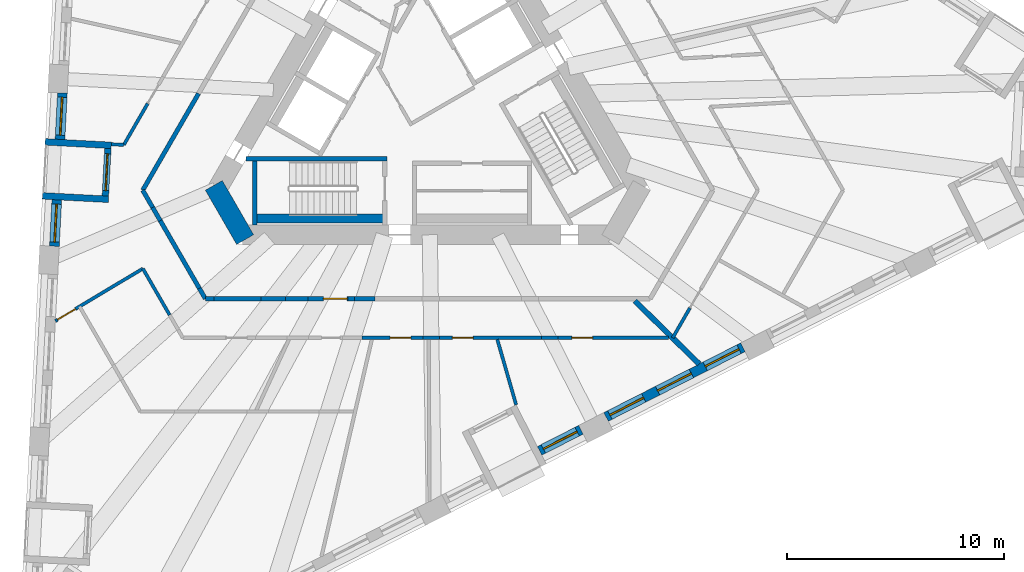
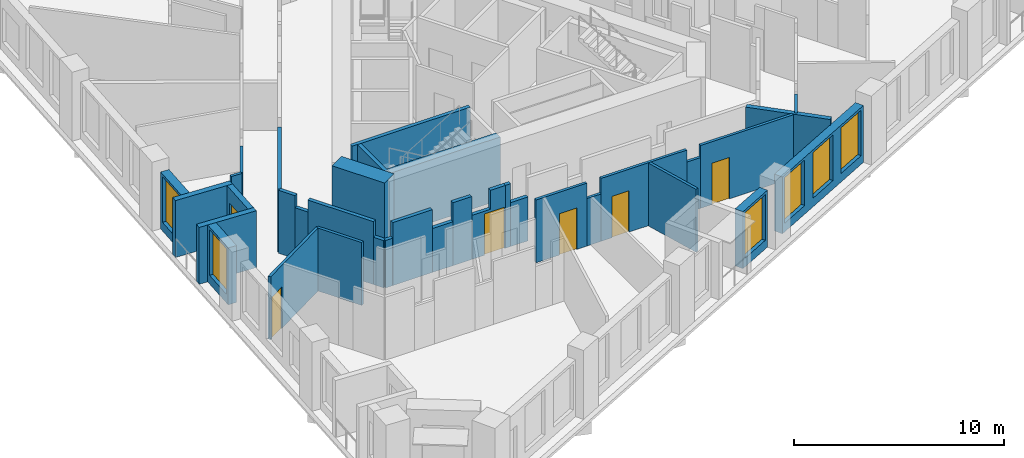
# One storey, part 3 of 13: 35 walls, 6 doors, 6 windows, 12 openings.
"""IFC4 building model written with IfcOpenShell, lengths in metres."""

import ifcopenshell
import ifcopenshell.guid

model = None  # the IFC model being written
_history = None  # IfcOwnerHistory: only IFC2X3 demands one
_inside = {}  # id of a spatial element -> (the spatial element, [elements in it])
_under = {}  # id of a project, library or spatial element -> (it, [spatial elements below it])
_declared = {}  # id of a project -> (the project, [libraries it declares])
_typed = {}  # id of a type object -> (the type object, [elements of that type])
_made_of = {}  # id of a material, layer set ... -> (it, [elements and type objects made of it])


def new_model(schema):
    """Start an empty IFC model of exactly this schema.

    Asked for "IFC4X3", IfcOpenShell would pick the latest addendum, in which some entities
    have other attributes; the version numbers below select the first issue.
    IFC2X3 requires an IfcOwnerHistory on every rooted entity: one is made here for all.
    """
    global model, _history
    if schema == "IFC4X3":
        model = ifcopenshell.file(schema_version=(4, 3, 0, 0))
    else:
        model = ifcopenshell.file(schema=schema)
    _inside.clear()
    _under.clear()
    _declared.clear()
    _typed.clear()
    _made_of.clear()
    _history = None
    if model.schema == "IFC2X3":
        org = make("IfcOrganization", Name="unknown")
        user = make(
            "IfcPersonAndOrganization",
            ThePerson=make("IfcPerson", FamilyName="unknown"),
            TheOrganization=org,
        )
        app = make(
            "IfcApplication",
            ApplicationDeveloper=org,
            Version="unknown",
            ApplicationFullName="unknown",
            ApplicationIdentifier="unknown",
        )
        _history = make(
            "IfcOwnerHistory",
            OwningUser=user,
            OwningApplication=app,
            ChangeAction="ADDED",
            CreationDate=0,
        )
    return model


def make(cls, **values):
    """One entity of the class cls with the attributes given. An attribute that is None is left unset."""
    return model.create_entity(
        cls, **{name: value for name, value in values.items() if value is not None}
    )


def rooted(cls, **values):
    """An entity with a GlobalId (a new one), such as an element, a storey or a relation."""
    return make(cls, GlobalId=ifcopenshell.guid.new(), OwnerHistory=_history, **values)


def si_unit(unit_type, name, prefix=None):
    """IfcSIUnit, for example si_unit("LENGTHUNIT", "METRE", prefix="MILLI")."""
    return make("IfcSIUnit", UnitType=unit_type, Prefix=prefix, Name=name)


def assignment(units):
    """IfcUnitAssignment: the units of a project."""
    return None if units is None else make("IfcUnitAssignment", Units=units)


def point(xyz):
    """IfcCartesianPoint."""
    return None if xyz is None else make("IfcCartesianPoint", Coordinates=xyz)


def direction(xyz):
    """IfcDirection."""
    return None if xyz is None else make("IfcDirection", DirectionRatios=xyz)


def frame(location, z_axis=None, x_axis=None):
    """IfcAxis2Placement3D, a coordinate frame: its origin and axes. An axis left out is left unset."""
    return make(
        "IfcAxis2Placement3D",
        Location=point(location),
        Axis=direction(z_axis),
        RefDirection=direction(x_axis),
    )


def frame_2d(location, x_axis=None):
    """IfcAxis2Placement2D, a coordinate frame in the plane: its origin and x axis."""
    return make(
        "IfcAxis2Placement2D", Location=point(location), RefDirection=direction(x_axis)
    )


def origin():
    """The frame at (0, 0, 0) with its axes left unset."""
    return frame((0.0, 0.0, 0.0))


def place(relative_to, where):
    """IfcLocalPlacement: puts the frame where relative to a parent placement (None: the world)."""
    return make(
        "IfcLocalPlacement", PlacementRelTo=relative_to, RelativePlacement=where
    )


def context(
    kind, dimensions, precision=None, world=None, true_north=None, identifier=None
):
    """IfcGeometricRepresentationContext, for example the 3D "Model" context."""
    return make(
        "IfcGeometricRepresentationContext",
        ContextIdentifier=identifier,
        ContextType=kind,
        CoordinateSpaceDimension=dimensions,
        Precision=precision,
        WorldCoordinateSystem=world,
        TrueNorth=true_north,
    )


def subcontext(parent, identifier, kind, view, scale=None):
    """IfcGeometricRepresentationSubContext, for example "Body" below "Model"."""
    return make(
        "IfcGeometricRepresentationSubContext",
        ContextIdentifier=identifier,
        ContextType=kind,
        ParentContext=parent,
        TargetScale=scale,
        TargetView=view,
    )


def project(units=None, contexts=None):
    """IfcProject with its units and contexts."""
    return rooted(
        "IfcProject",
        Name="project",
        RepresentationContexts=contexts,
        UnitsInContext=assignment(units),
    )


def spatial(cls, under=None, at=None, **own):
    """A site, building, storey or space (cls), placed at a placement, below another one or the project."""
    s = rooted(cls, ObjectPlacement=at, **own)
    if under is not None:
        _under.setdefault(under.id(), (under, []))[1].append(s)
    return s


def polyline(points):
    """IfcPolyline through the points."""
    return make("IfcPolyline", Points=[point(p) for p in points])


def profile(cls, at=None, kind="AREA", **sizes):
    """A parametric profile (cls). Its sizes go by their IFC names, for example OverallWidth=200.0."""
    return make(cls, ProfileType=kind, Position=at, **sizes)


def rectangle(**sizes):
    """IfcRectangleProfileDef."""
    return profile("IfcRectangleProfileDef", **sizes)


def outline(outer, holes=None, kind="AREA"):
    """IfcArbitraryClosedProfileDef: a profile drawn as a closed curve; with holes, ...WithVoids."""
    if holes is None:
        return make("IfcArbitraryClosedProfileDef", ProfileType=kind, OuterCurve=outer)
    return make(
        "IfcArbitraryProfileDefWithVoids",
        ProfileType=kind,
        OuterCurve=outer,
        InnerCurves=holes,
    )


def extrude(swept, where, along, depth):
    """IfcExtrudedAreaSolid: the profile swept, set in the frame where, extruded along a direction by depth."""
    return make(
        "IfcExtrudedAreaSolid",
        SweptArea=swept,
        Position=where,
        ExtrudedDirection=direction(along),
        Depth=depth,
    )


def shape(context_of_items, identifier, shape_type, items):
    """IfcShapeRepresentation: the items that make up one representation, for example the "Body"."""
    return make(
        "IfcShapeRepresentation",
        ContextOfItems=context_of_items,
        RepresentationIdentifier=identifier,
        RepresentationType=shape_type,
        Items=items,
    )


def material(Name=None, Category=None):
    """IfcMaterial."""
    return make("IfcMaterial", Name=Name, Category=Category)


def layer(
    of_material, thickness, ventilated=None, Name=None, Category=None, Priority=None
):
    """IfcMaterialLayer: one layer of a wall or slab, of a material (None: an air gap)."""
    return make(
        "IfcMaterialLayer",
        Material=of_material,
        LayerThickness=thickness,
        IsVentilated=ventilated,
        Name=Name,
        Category=Category,
        Priority=Priority,
    )


def layer_set(layers, Name=None):
    """IfcMaterialLayerSet."""
    return make("IfcMaterialLayerSet", MaterialLayers=layers, LayerSetName=Name)


def made_of(thing, what):
    """Note that an element or type object is made of a material, layer set ...; save() writes the relation."""
    if what is not None:
        _made_of.setdefault(what.id(), (what, []))[1].append(thing)
    return thing


def type_object(cls, material=None, **own):
    """A type object (cls), such as IfcWallType, which elements share."""
    return made_of(rooted(cls, **own), material)


def element(
    cls,
    number,
    at=None,
    inside=None,
    cuts=None,
    type_object=None,
    material=None,
    context=None,
    identifier="Body",
    shape_type=None,
    held_by="IfcProductDefinitionShape",
    body=None,
    shapes=None,
    **own,
):
    """One element of the class cls, such as IfcWall. Its Tag is "e" and its number.

    at: its placement. inside: the storey or other place that contains it. cuts: it is an
    opening in that element (IfcRelVoidsElement). A single representation is given by context,
    identifier, shape_type and body (its items); several are given by shapes. held_by: the class
    of the entity that holds the representations. save() writes the other relations.
    """
    e = rooted(cls, Tag="e%d" % number, ObjectPlacement=at, **own)
    if body is not None:
        shapes = [shape(context, identifier, shape_type, body)]
    if shapes is not None:
        e.Representation = make(held_by, Representations=shapes)
    if inside is not None:
        _inside.setdefault(inside.id(), (inside, []))[1].append(e)
    if cuts is not None:
        rooted(
            "IfcRelVoidsElement", RelatingBuildingElement=cuts, RelatedOpeningElement=e
        )
    if type_object is not None:
        _typed.setdefault(type_object.id(), (type_object, []))[1].append(e)
    return made_of(e, material)


def fill(opening, filler):
    """IfcRelFillsElement: the door or window that sits in an opening."""
    return rooted(
        "IfcRelFillsElement",
        RelatingOpeningElement=opening,
        RelatedBuildingElement=filler,
    )


def aggregate(whole, parts):
    """IfcRelAggregates: a whole, such as a stair, and the parts it consists of."""
    return rooted("IfcRelAggregates", RelatingObject=whole, RelatedObjects=parts)


def save(model, path):
    """Write the relations noted so far, then the file.

    IfcRelAggregates (storeys below a building ...), IfcRelContainedInSpatialStructure (elements
    in a storey), IfcRelDefinesByType, IfcRelAssociatesMaterial and IfcRelDeclares: one each for
    every whole, place, type object, material and project.
    """
    for whole, parts in _under.values():
        aggregate(whole, parts)
    for where, things in _inside.values():
        rooted(
            "IfcRelContainedInSpatialStructure",
            RelatedElements=things,
            RelatingStructure=where,
        )
    for kind, things in _typed.values():
        rooted("IfcRelDefinesByType", RelatedObjects=things, RelatingType=kind)
    for what, things in _made_of.values():
        rooted("IfcRelAssociatesMaterial", RelatedObjects=things, RelatingMaterial=what)
    for by, libraries in _declared.values():
        rooted("IfcRelDeclares", RelatingContext=by, RelatedDefinitions=libraries)
    model.write(path)


model = new_model("IFC4")

# Units and contexts
model_context = context("Model", 3, precision=1e-05, world=origin(), true_north=direction((0.0, 1.0)))
body_context = subcontext(model_context, "Body", "Model", "MODEL_VIEW")
ifc_project = project(units=[si_unit("LENGTHUNIT", "METRE"), si_unit("AREAUNIT", "SQUARE_METRE"), si_unit("VOLUMEUNIT", "CUBIC_METRE"), si_unit("PLANEANGLEUNIT", "RADIAN"), si_unit("MASSUNIT", "GRAM", prefix="KILO")], contexts=[model_context])

# Site, building, storey
site_placement = place(None, origin())
site = spatial("IfcSite", under=ifc_project, at=site_placement, CompositionType="ELEMENT")
building_placement = place(site_placement, origin())
building = spatial("IfcBuilding", under=site, at=building_placement, Name="Tramontana Tower", CompositionType="ELEMENT")
storey_placement = place(building_placement, frame((0.0, 0.0, 149.60009765625)))
storey = spatial("IfcBuildingStorey", under=building, at=storey_placement, Name="L34", CompositionType="ELEMENT", Elevation=149.60009765625)

# Walls
ifc_material_1 = material(Name="Concrete 70 MPa", Category="concrete")
ifc_layer_1 = layer(ifc_material_1, 0.89990234375)
ifc_layer_set_1 = layer_set([ifc_layer_1], Name="Core wall 900 70 MPa")
wall_type_1 = type_object("IfcWallType", Name="Core wall 900 70 MPa", PredefinedType="SHEAR", material=ifc_layer_set_1)
wall_1_placement = place(storey_placement, frame((-9.8583984375, -4.02490234375, 0.0), z_axis=(0.0, 0.0, 1.0), x_axis=(0.500059191753, -0.865991226713, 0.0)))
element("IfcWall", 1, at=wall_1_placement, inside=storey, type_object=wall_type_1, Name="Core wall C2 L34", PredefinedType="SHEAR", context=body_context, shape_type="SweptSolid", body=[
    extrude(rectangle(XDim=2.886962890625, YDim=0.89990234375, at=frame_2d((1.443359375, 0.0))), origin(), (0.0, 0.0, 1.0), 4.0),
])
ifc_material_2 = material(Name="Blockwork", Category="masonry")
ifc_layer_2 = layer(ifc_material_2, 0.199951171875)
ifc_layer_set_2 = layer_set([ifc_layer_2], Name="ENTRY WALL 200")
wall_type_2 = type_object("IfcWallType", Name="ENTRY WALL 200", PredefinedType="SOLIDWALL", material=ifc_layer_set_2)
wall_2_placement = place(storey_placement, frame((-2.441162109375, -9.25, 0.0), z_axis=(0.0, 0.0, 1.0), x_axis=(-1.0, 0.0, 0.0)))
element("IfcWall", 2, at=wall_2_placement, inside=storey, type_object=wall_type_2, Name="Wall v32-ew2-5", PredefinedType="SOLIDWALL", context=body_context, shape_type="SweptSolid", body=[
    extrude(rectangle(XDim=0.943603515625, YDim=0.199951171875, at=frame_2d((0.4716796875, 0.0))), origin(), (0.0, 0.0, 1.0), 2.5498046875),
])
wall_3_placement = place(storey_placement, frame((-3.384765625, -9.25, 0.0), z_axis=(0.0, 0.0, 1.0), x_axis=(-1.0, 0.0, 0.0)))
element("IfcWall", 3, at=wall_3_placement, inside=storey, type_object=wall_type_2, Name="Wall v32-ew2-6", PredefinedType="SOLIDWALL", context=body_context, shape_type="SweptSolid", body=[
    extrude(rectangle(XDim=0.280517578125, YDim=0.199951171875, at=frame_2d((0.14013671875, 0.0))), origin(), (0.0, 0.0, 1.0), 3.64990234375),
])

# Wall, opening, door
wall_4_placement = place(storey_placement, frame((-5.522216796875, -9.25, 0.0), z_axis=(0.0, 0.0, 1.0), x_axis=(1.0, 0.0, 0.0)))
wall_4 = element("IfcWall", 4, at=wall_4_placement, inside=storey, type_object=wall_type_2, Name="Wall v32-ew2-7", PredefinedType="SOLIDWALL", context=body_context, shape_type="SweptSolid", body=[
    extrude(outline(polyline([(0.0, 0.0), (1.85693359375, 0.0), (1.85693359375, 3.64990234375), (1.0234375, 3.64990234375), (1.0234375, 2.5498046875), (0.0, 2.5498046875), (0.0, 0.0)])), frame((0.0, 0.10009765625, 0.0), z_axis=(0.0, -1.0, 0.0), x_axis=(1.0, 0.0, 0.0)), (0.0, 0.0, 1.0), 0.199951171875),
])
opening_1_placement = place(wall_4_placement, frame((0.706787109375, 0.0, 0.0)))
opening_1 = element("IfcOpeningElement", 5, at=opening_1_placement, cuts=wall_4, Name="Opening B3C-22", PredefinedType="OPENING", context=body_context, shape_type="SweptSolid", body=[
    extrude(rectangle(XDim=1.10009765625, YDim=2.39990234375, at=frame_2d((0.550048828125, 1.199951171875))), frame((0.0, 0.10986328125, 0.0), z_axis=(0.0, -1.0, 0.0), x_axis=(1.0, 0.0, 0.0)), (0.0, 0.0, 1.0), 0.219970703125),
])
ifc_material_3 = material(Name="Painted timber", Category="wood")
door_type_1 = type_object("IfcDoorType", Name="DOOR ENTRY 1100", OperationType="SINGLE_SWING_LEFT", PredefinedType="DOOR", material=ifc_material_3)
door_1_placement = place(opening_1_placement, origin())
door_1 = element("IfcDoor", 6, at=door_1_placement, inside=storey, type_object=door_type_1, Name="Door B3C-22", OperationType="SINGLE_SWING_RIGHT", OverallHeight=2.39990234375, OverallWidth=1.10009765625, PredefinedType="DOOR", context=body_context, shape_type="SweptSolid", body=[
    extrude(rectangle(XDim=1.10009765625, YDim=2.39990234375, at=frame_2d((0.550048828125, 1.199951171875))), frame((0.0, 0.02490234375, 0.0), z_axis=(0.0, -1.0, 0.0), x_axis=(1.0, 0.0, 0.0)), (0.0, 0.0, 1.0), 0.050048828125),
])
fill(opening_1, door_1)

# Walls
wall_5_placement = place(storey_placement, frame((-5.522216796875, -9.25, 0.0), z_axis=(0.0, 0.0, 1.0), x_axis=(-1.0, 0.0, 0.0)))
element("IfcWall", 7, at=wall_5_placement, inside=storey, type_object=wall_type_2, Name="Wall v32-ew2-8", PredefinedType="SOLIDWALL", context=body_context, shape_type="SweptSolid", body=[
    extrude(rectangle(XDim=1.0224609375, YDim=0.199951171875, at=frame_2d((0.51123046875, 0.0))), origin(), (0.0, 0.0, 1.0), 3.64990234375),
])
wall_6_placement = place(storey_placement, frame((-6.544677734375, -9.25, 0.0), z_axis=(0.0, 0.0, 1.0), x_axis=(-1.0, 0.0, 0.0)))
element("IfcWall", 8, at=wall_6_placement, inside=storey, type_object=wall_type_2, Name="Wall v32-ew2-9", PredefinedType="SOLIDWALL", context=body_context, shape_type="SweptSolid", body=[
    extrude(rectangle(XDim=1.13525390625, YDim=0.199951171875, at=frame_2d((0.567626953125, 0.0))), origin(), (0.0, 0.0, 1.0), 2.5498046875),
])
wall_7_placement = place(storey_placement, frame((-7.679931640625, -9.25, 0.0), z_axis=(0.0, 0.0, 1.0), x_axis=(-1.0, 0.0, 0.0)))
element("IfcWall", 9, at=wall_7_placement, inside=storey, type_object=wall_type_2, Name="Wall v32-ew2-10", PredefinedType="SOLIDWALL", context=body_context, shape_type="SweptSolid", body=[
    extrude(rectangle(XDim=2.1787109375, YDim=0.199951171875, at=frame_2d((1.08935546875, 0.0))), origin(), (0.0, 0.0, 1.0), 3.64990234375),
])
wall_8_placement = place(storey_placement, frame((-9.858642578125, -9.25, 0.0), z_axis=(0.0, 0.0, 1.0), x_axis=(-1.0, 0.0, 0.0)))
element("IfcWall", 10, at=wall_8_placement, inside=storey, type_object=wall_type_2, Name="Wall v32-ew2-11", PredefinedType="SOLIDWALL", context=body_context, shape_type="SweptSolid", body=[
    extrude(rectangle(XDim=0.389404296875, YDim=0.199951171875, at=frame_2d((0.19482421875, 0.0))), origin(), (0.0, 0.0, 1.0), 2.75),
])
wall_9_placement = place(storey_placement, frame((-10.248046875, -9.25, 0.0), z_axis=(0.0, 0.0, 1.0), x_axis=(-0.499887958344, 0.866090081402, 0.0)))
element("IfcWall", 11, at=wall_9_placement, inside=storey, type_object=wall_type_2, Name="Wall v32-ew3-0", PredefinedType="SOLIDWALL", context=body_context, shape_type="SweptSolid", body=[
    extrude(rectangle(XDim=0.553466796875, YDim=0.199951171875, at=frame_2d((0.27685546875, 0.0))), origin(), (0.0, 0.0, 1.0), 2.75),
])
wall_10_placement = place(storey_placement, frame((-10.524658203125, -8.770751953125, 0.0), z_axis=(0.0, 0.0, 1.0), x_axis=(-0.500031425827, 0.866007259314, 0.0)))
element("IfcWall", 12, at=wall_10_placement, inside=storey, type_object=wall_type_2, Name="Wall v32-ew3-1", PredefinedType="SOLIDWALL", context=body_context, shape_type="SweptSolid", body=[
    extrude(rectangle(XDim=3.602294921875, YDim=0.199951171875, at=frame_2d((1.80126953125, 0.0))), origin(), (0.0, 0.0, 1.0), 3.64990234375),
])
wall_11_placement = place(storey_placement, frame((-12.325927734375, -5.651123046875, 0.0), z_axis=(0.0, 0.0, 1.0), x_axis=(-0.499752435038, 0.86616828831, 0.0)))
element("IfcWall", 13, at=wall_11_placement, inside=storey, type_object=wall_type_2, Name="Wall v32-ew3-2", PredefinedType="SOLIDWALL", context=body_context, shape_type="SweptSolid", body=[
    extrude(rectangle(XDim=0.704833984375, YDim=0.199951171875, at=frame_2d((0.3525390625, 0.0))), origin(), (0.0, 0.0, 1.0), 2.949951171875),
])
wall_12_placement = place(storey_placement, frame((-12.67822265625, -5.04052734375, 0.0), z_axis=(0.0, 0.0, 1.0), x_axis=(-0.500108273885, 0.865962882802, 0.0)))
element("IfcWall", 14, at=wall_12_placement, inside=storey, type_object=wall_type_2, Name="Wall v32-ew3-3", PredefinedType="SOLIDWALL", context=body_context, shape_type="SweptSolid", body=[
    extrude(rectangle(XDim=0.912841796875, YDim=0.199951171875, at=frame_2d((0.45654296875, 0.0))), origin(), (0.0, 0.0, 1.0), 3.64990234375),
])
wall_13_placement = place(storey_placement, frame((-13.134765625, -4.25, 0.0), z_axis=(0.0, 0.0, 1.0), x_axis=(0.50000466804, 0.866022708674, 0.0)))
element("IfcWall", 15, at=wall_13_placement, inside=storey, type_object=wall_type_2, Name="Wall v32-ew4-0", PredefinedType="SOLIDWALL", context=body_context, shape_type="SweptSolid", body=[
    extrude(rectangle(XDim=5.14208984375, YDim=0.199951171875, at=frame_2d((2.571044921875, 0.0))), origin(), (0.0, 0.0, 1.0), 3.64990234375),
])

# Wall, opening, window
ifc_material_4 = material(Name="Precast concrete 60 MPa", Category="concrete")
ifc_layer_3 = layer(ifc_material_4, 0.449951171875)
ifc_layer_set_3 = layer_set([ifc_layer_3], Name="Precast concrete 60 MPa, 450 mm")
wall_type_3 = type_object("IfcWallType", Name="EW1 Stone-faced precast wall 450", PredefinedType="SOLIDWALL", material=ifc_layer_set_3)
wall_14_placement = place(storey_placement, frame((-16.8359375, 0.2314453125, 0.0), z_axis=(0.0, 0.0, 1.0), x_axis=(-0.05234931875, -0.998628834366, 0.0)))
wall_14 = element("IfcWall", 16, at=wall_14_placement, inside=storey, type_object=wall_type_3, Name="External wall L34 face 0 bay 4", PredefinedType="SOLIDWALL", context=body_context, shape_type="SweptSolid", body=[
    extrude(rectangle(XDim=2.140625, YDim=0.449951171875, at=frame_2d((1.0703125, 0.0))), origin(), (0.0, 0.0, 1.0), 3.2998046875),
])
opening_2_placement = place(wall_14_placement, frame((0.1953125, 0.0, 0.5)))
opening_2 = element("IfcOpeningElement", 17, at=opening_2_placement, cuts=wall_14, Name="Opening M2", PredefinedType="OPENING", context=body_context, shape_type="SweptSolid", body=[
    extrude(rectangle(XDim=1.75, YDim=2.64990234375, at=frame_2d((0.875, 1.324951171875))), frame((0.0, 0.23486328125, 0.0), z_axis=(0.0, -1.0, 0.0), x_axis=(1.0, 0.0, 0.0)), (0.0, 0.0, 1.0), 0.469970703125),
])
ifc_material_5 = material(Name="Aluminum frame, double glazing unit", Category="aluminium")
window_type = type_object("IfcWindowType", Name="M2 Window 1.75 x 2.65", PartitioningType="SINGLE_PANEL", PredefinedType="WINDOW", material=ifc_material_5)
window_1_placement = place(opening_2_placement, origin())
window_1 = element("IfcWindow", 18, at=window_1_placement, inside=storey, type_object=window_type, Name="Window M2 L34 face 0 module 10", OverallHeight=2.64990234375, OverallWidth=1.75, PartitioningType="SINGLE_PANEL", PredefinedType="WINDOW", context=body_context, shape_type="SweptSolid", body=[
    extrude(rectangle(XDim=1.75, YDim=2.64990234375, at=frame_2d((0.875, 1.324951171875))), frame((0.0, 0.030029296875, 0.0), z_axis=(0.0, -1.0, 0.0), x_axis=(1.0, 0.0, 0.0)), (0.0, 0.0, 1.0), 0.06005859375),
])
fill(opening_2, window_1)

wall_15_placement = place(storey_placement, frame((-17.093994140625, -4.69287109375, 0.0), z_axis=(0.0, 0.0, 1.0), x_axis=(-0.052355281723, -0.998628521762, 0.0)))
wall_15 = element("IfcWall", 19, at=wall_15_placement, inside=storey, type_object=wall_type_3, Name="External wall L34 face 0 bay 4", PredefinedType="SOLIDWALL", context=body_context, shape_type="SweptSolid", body=[
    extrude(rectangle(XDim=2.140380859375, YDim=0.449951171875, at=frame_2d((1.0703125, 0.0))), origin(), (0.0, 0.0, 1.0), 3.2998046875),
])
opening_3_placement = place(wall_15_placement, frame((0.1953125, 0.0, 0.5)))
opening_3 = element("IfcOpeningElement", 20, at=opening_3_placement, cuts=wall_15, Name="Opening M2", PredefinedType="OPENING", context=body_context, shape_type="SweptSolid", body=[
    extrude(rectangle(XDim=1.75, YDim=2.64990234375, at=frame_2d((0.875, 1.324951171875))), frame((0.0, 0.23486328125, 0.0), z_axis=(0.0, -1.0, 0.0), x_axis=(1.0, 0.0, 0.0)), (0.0, 0.0, 1.0), 0.469970703125),
])
window_2_placement = place(opening_3_placement, origin())
window_2 = element("IfcWindow", 21, at=window_2_placement, inside=storey, type_object=window_type, Name="Window M2 L34 face 0 module 12", OverallHeight=2.64990234375, OverallWidth=1.75, PartitioningType="SINGLE_PANEL", PredefinedType="WINDOW", context=body_context, shape_type="SweptSolid", body=[
    extrude(rectangle(XDim=1.75, YDim=2.64990234375, at=frame_2d((0.875, 1.324951171875))), frame((0.0, 0.030029296875, 0.0), z_axis=(0.0, -1.0, 0.0), x_axis=(1.0, 0.0, 0.0)), (0.0, 0.0, 1.0), 0.06005859375),
])
fill(opening_3, window_2)

wall_16_placement = place(storey_placement, frame((5.152099609375, -16.258056640625, 0.0), z_axis=(0.0, 0.0, 1.0), x_axis=(0.891025569559, 0.453953119156, 0.0)))
wall_16 = element("IfcWall", 22, at=wall_16_placement, inside=storey, type_object=wall_type_3, Name="External wall L34 face 1 bay 3", PredefinedType="SOLIDWALL", context=body_context, shape_type="SweptSolid", body=[
    extrude(rectangle(XDim=2.140380859375, YDim=0.449951171875, at=frame_2d((1.0703125, 0.0))), origin(), (0.0, 0.0, 1.0), 3.2998046875),
])
opening_4_placement = place(wall_16_placement, frame((0.1953125, 0.0, 0.5)))
opening_4 = element("IfcOpeningElement", 23, at=opening_4_placement, cuts=wall_16, Name="Opening M2", PredefinedType="OPENING", context=body_context, shape_type="SweptSolid", body=[
    extrude(rectangle(XDim=1.75, YDim=2.64990234375, at=frame_2d((0.875, 1.324951171875))), frame((0.0, 0.23486328125, 0.0), z_axis=(0.0, -1.0, 0.0), x_axis=(1.0, 0.0, 0.0)), (0.0, 0.0, 1.0), 0.469970703125),
])
window_3_placement = place(opening_4_placement, origin())
window_3 = element("IfcWindow", 24, at=window_3_placement, inside=storey, type_object=window_type, Name="Window M2 L34 face 1 module 9", OverallHeight=2.64990234375, OverallWidth=1.75, PartitioningType="SINGLE_PANEL", PredefinedType="WINDOW", context=body_context, shape_type="SweptSolid", body=[
    extrude(rectangle(XDim=1.75, YDim=2.64990234375, at=frame_2d((0.875, 1.324951171875))), frame((0.0, 0.030029296875, 0.0), z_axis=(0.0, -1.0, 0.0), x_axis=(1.0, 0.0, 0.0)), (0.0, 0.0, 1.0), 0.06005859375),
])
fill(opening_4, window_3)

# Wall, openings, windows
wall_17_placement = place(storey_placement, frame((8.217529296875, -14.696044921875, 0.0), z_axis=(0.0, 0.0, 1.0), x_axis=(0.891004189171, 0.45399508244, 0.0)))
wall_17 = element("IfcWall", 25, at=wall_17_placement, inside=storey, type_object=wall_type_3, Name="External wall L34 face 1 bay 4", PredefinedType="SOLIDWALL", context=body_context, shape_type="SweptSolid", body=[
    extrude(rectangle(XDim=7.071533203125, YDim=0.449951171875, at=frame_2d((3.53564453125, 0.0))), origin(), (0.0, 0.0, 1.0), 3.2998046875),
])
opening_5_placement = place(wall_17_placement, frame((0.1953125, 0.0, 0.5)))
opening_5 = element("IfcOpeningElement", 26, at=opening_5_placement, cuts=wall_17, Name="Opening M2", PredefinedType="OPENING", context=body_context, shape_type="SweptSolid", body=[
    extrude(rectangle(XDim=1.75, YDim=2.64990234375, at=frame_2d((0.875, 1.324951171875))), frame((0.0, 0.23486328125, 0.0), z_axis=(0.0, -1.0, 0.0), x_axis=(1.0, 0.0, 0.0)), (0.0, 0.0, 1.0), 0.469970703125),
])
opening_6_placement = place(wall_17_placement, frame((2.660888671875, 0.0, 0.5)))
opening_6 = element("IfcOpeningElement", 27, at=opening_6_placement, cuts=wall_17, Name="Opening M2", PredefinedType="OPENING", context=body_context, shape_type="SweptSolid", body=[
    extrude(rectangle(XDim=1.75, YDim=2.64990234375, at=frame_2d((0.875, 1.324951171875))), frame((0.0, 0.23486328125, 0.0), z_axis=(0.0, -1.0, 0.0), x_axis=(1.0, 0.0, 0.0)), (0.0, 0.0, 1.0), 0.469970703125),
])
opening_7_placement = place(wall_17_placement, frame((5.126220703125, 0.0, 0.5)))
opening_7 = element("IfcOpeningElement", 28, at=opening_7_placement, cuts=wall_17, Name="Opening M2", PredefinedType="OPENING", context=body_context, shape_type="SweptSolid", body=[
    extrude(rectangle(XDim=1.75, YDim=2.64990234375, at=frame_2d((0.875, 1.324951171875))), frame((0.0, 0.23486328125, 0.0), z_axis=(0.0, -1.0, 0.0), x_axis=(1.0, 0.0, 0.0)), (0.0, 0.0, 1.0), 0.469970703125),
])
window_4_placement = place(opening_5_placement, origin())
window_4 = element("IfcWindow", 29, at=window_4_placement, inside=storey, type_object=window_type, Name="Window M2 L34 face 1 module 10", OverallHeight=2.64990234375, OverallWidth=1.75, PartitioningType="SINGLE_PANEL", PredefinedType="WINDOW", context=body_context, shape_type="SweptSolid", body=[
    extrude(rectangle(XDim=1.75, YDim=2.64990234375, at=frame_2d((0.875, 1.324951171875))), frame((0.0, 0.030029296875, 0.0), z_axis=(0.0, -1.0, 0.0), x_axis=(1.0, 0.0, 0.0)), (0.0, 0.0, 1.0), 0.06005859375),
])
fill(opening_5, window_4)
window_5_placement = place(opening_6_placement, origin())
window_5 = element("IfcWindow", 30, at=window_5_placement, inside=storey, type_object=window_type, Name="Window M2 L34 face 1 module 11", OverallHeight=2.64990234375, OverallWidth=1.75, PartitioningType="SINGLE_PANEL", PredefinedType="WINDOW", context=body_context, shape_type="SweptSolid", body=[
    extrude(rectangle(XDim=1.75, YDim=2.64990234375, at=frame_2d((0.875, 1.324951171875))), frame((0.0, 0.030029296875, 0.0), z_axis=(0.0, -1.0, 0.0), x_axis=(1.0, 0.0, 0.0)), (0.0, 0.0, 1.0), 0.06005859375),
])
fill(opening_6, window_5)
window_6_placement = place(opening_7_placement, origin())
window_6 = element("IfcWindow", 31, at=window_6_placement, inside=storey, type_object=window_type, Name="Window M2 L34 face 1 module 12", OverallHeight=2.64990234375, OverallWidth=1.75, PartitioningType="SINGLE_PANEL", PredefinedType="WINDOW", context=body_context, shape_type="SweptSolid", body=[
    extrude(rectangle(XDim=1.75, YDim=2.64990234375, at=frame_2d((0.875, 1.324951171875))), frame((0.0, 0.030029296875, 0.0), z_axis=(0.0, -1.0, 0.0), x_axis=(1.0, 0.0, 0.0)), (0.0, 0.0, 1.0), 0.06005859375),
])
fill(opening_7, window_6)

# Wall, opening, door
ifc_material_6 = material(Name="Precast concrete 60 MPa", Category="concrete")
ifc_layer_4 = layer(ifc_material_6, 0.300048828125)
ifc_layer_set_4 = layer_set([ifc_layer_4], Name="LW1 Stone-faced loggia wall 300")
wall_type_4 = type_object("IfcWallType", Name="LW1 Stone-faced loggia wall 300", PredefinedType="SOLIDWALL", material=ifc_layer_set_4)
wall_18_placement = place(storey_placement, frame((-14.74169921875, -2.322265625, 0.0), z_axis=(0.0, 0.0, 1.0), x_axis=(-0.052383338583, -0.998627050424, 0.0)))
wall_18 = element("IfcWall", 32, at=wall_18_placement, inside=storey, type_object=wall_type_4, Name="Loggia wall L34 G3S0.10", PredefinedType="SOLIDWALL", context=body_context, shape_type="SweptSolid", body=[
    extrude(rectangle(XDim=2.1904296875, YDim=0.300048828125, at=frame_2d((1.09521484375, 0.0))), origin(), (0.0, 0.0, 1.0), 3.2998046875),
])
opening_8_placement = place(wall_18_placement, frame((0.245361328125, 0.0, 0.0)))
opening_8 = element("IfcOpeningElement", 33, at=opening_8_placement, cuts=wall_18, Name="Opening BD-3S0-10", PredefinedType="OPENING", context=body_context, shape_type="SweptSolid", body=[
    extrude(rectangle(XDim=1.699951171875, YDim=2.449951171875, at=frame_2d((0.85009765625, 1.22509765625))), frame((0.0, 0.159912109375, 0.0), z_axis=(0.0, -1.0, 0.0), x_axis=(1.0, 0.0, 0.0)), (0.0, 0.0, 1.0), 0.320068359375),
])
ifc_material_7 = material(Name="Aluminum frame, double glazing unit", Category="aluminium")
door_type_2 = type_object("IfcDoorType", Name="BD2 Sliding door 1.7 x 2.45", OperationType="SLIDING_TO_LEFT", PredefinedType="DOOR", material=ifc_material_7)
door_2_placement = place(opening_8_placement, origin())
door_2 = element("IfcDoor", 34, at=door_2_placement, inside=storey, type_object=door_type_2, Name="Loggia door L34 G3S0.10", OperationType="SLIDING_TO_LEFT", OverallHeight=2.449951171875, OverallWidth=1.699951171875, PredefinedType="DOOR", context=body_context, shape_type="SweptSolid", body=[
    extrude(rectangle(XDim=1.699951171875, YDim=2.449951171875, at=frame_2d((0.85009765625, 1.22509765625))), frame((0.0, 0.02490234375, 0.0), z_axis=(0.0, -1.0, 0.0), x_axis=(1.0, 0.0, 0.0)), (0.0, 0.0, 1.0), 0.050048828125),
])
fill(opening_8, door_2)

# Walls
for number, where, z_axis, x_axis, name in (
    (35, (-17.6298828125, -2.0205078125, 0.0), (0.0, 0.0, 1.0), (0.99862886304, -0.052348771756, 0.0), "Loggia return L34 G3S0.10a"),
    (36, (-17.76025390625, -4.5078125, 0.0), (0.0, 0.0, 1.0), (0.998633044326, -0.052268946613, 0.0), "Loggia return L34 G3S0.10b"),
):
    element("IfcWall", number, at=place(storey_placement, frame(where, z_axis=z_axis, x_axis=x_axis)), inside=storey, type_object=wall_type_4, Name=name, PredefinedType="SOLIDWALL", context=body_context, shape_type="SweptSolid", body=[
        extrude(rectangle(XDim=3.050048828125, YDim=0.300048828125, at=frame_2d((1.52490234375, 0.0))), origin(), (0.0, 0.0, 1.0), 3.2998046875),
    ])
ifc_material_8 = material(Name="Gypsum board partition")
ifc_layer_5 = layer(ifc_material_8, 0.14990234375)
ifc_layer_set_5 = layer_set([ifc_layer_5], Name="PARTITION 150")
wall_type_5 = type_object("IfcWallType", Name="PARTITION 150", PredefinedType="PARTITIONING", material=ifc_layer_set_5)
wall_19_placement = place(storey_placement, frame((-14.58154296875, -2.13037109375, 0.0), z_axis=(0.0, 0.0, 1.0), x_axis=(0.998631886163, -0.05229106939, 0.0)))
element("IfcWall", 37, at=wall_19_placement, inside=storey, type_object=wall_type_5, Name="Wall v32-pw01", PredefinedType="PARTITIONING", context=body_context, shape_type="SweptSolid", body=[
    extrude(rectangle(XDim=0.57421875, YDim=0.14990234375, at=frame_2d((0.287109375, 0.0))), origin(), (0.0, 0.0, 1.0), 3.64990234375),
])
wall_20_placement = place(storey_placement, frame((-14.006103515625, -2.159423828125, 0.0), z_axis=(0.0, 0.0, 1.0), x_axis=(0.499966313909, 0.866044851585, 0.0)))
element("IfcWall", 38, at=wall_20_placement, inside=storey, type_object=wall_type_5, Name="Wall v32-pw02-0", PredefinedType="PARTITIONING", context=body_context, shape_type="SweptSolid", body=[
    extrude(rectangle(XDim=2.195556640625, YDim=0.14990234375, at=frame_2d((1.09765625, 0.0))), origin(), (0.0, 0.0, 1.0), 3.64990234375),
])

# Wall, opening, door
wall_21_placement = place(storey_placement, frame((-13.13134765625, -7.862060546875, 0.0), z_axis=(0.0, 0.0, 1.0), x_axis=(-0.857896231035, -0.513822981947, 0.0)))
wall_21 = element("IfcWall", 39, at=wall_21_placement, inside=storey, type_object=wall_type_5, Name="Wall v32-pw04", PredefinedType="PARTITIONING", context=body_context, shape_type="SweptSolid", body=[
    extrude(rectangle(XDim=4.697265625, YDim=0.14990234375, at=frame_2d((2.3486328125, 0.0))), origin(), (0.0, 0.0, 1.0), 3.64990234375),
])
opening_9_placement = place(wall_21_placement, frame((3.6201171875, 0.0, 0.0)))
opening_9 = element("IfcOpeningElement", 40, at=opening_9_placement, cuts=wall_21, Name="Opening B3C-09", PredefinedType="OPENING", context=body_context, shape_type="SweptSolid", body=[
    extrude(rectangle(XDim=0.949951171875, YDim=2.39990234375, at=frame_2d((0.47509765625, 1.199951171875))), frame((0.0, 0.0849609375, 0.0), z_axis=(0.0, -1.0, 0.0), x_axis=(1.0, 0.0, 0.0)), (0.0, 0.0, 1.0), 0.169921875),
])
ifc_material_9 = material(Name="Painted timber", Category="wood")
door_type_3 = type_object("IfcDoorType", Name="DOOR ROOM 950", OperationType="SINGLE_SWING_LEFT", PredefinedType="DOOR", material=ifc_material_9)
door_3_placement = place(opening_9_placement, origin())
door_3 = element("IfcDoor", 41, at=door_3_placement, inside=storey, type_object=door_type_3, Name="Door B3C-09", OperationType="SINGLE_SWING_LEFT", OverallHeight=2.39990234375, OverallWidth=0.949951171875, PredefinedType="DOOR", context=body_context, shape_type="SweptSolid", body=[
    extrude(rectangle(XDim=0.949951171875, YDim=2.39990234375, at=frame_2d((0.47509765625, 1.199951171875))), frame((0.0, 0.02490234375, 0.0), z_axis=(0.0, -1.0, 0.0), x_axis=(1.0, 0.0, 0.0)), (0.0, 0.0, 1.0), 0.050048828125),
])
fill(opening_9, door_3)

# Walls
wall_22_placement = place(storey_placement, frame((-11.894287109375, -9.99853515625, 0.0), z_axis=(0.0, 0.0, 1.0), x_axis=(-0.499993851206, 0.866028953763, 0.0)))
element("IfcWall", 42, at=wall_22_placement, inside=storey, type_object=wall_type_5, Name="Wall v32-pw05-2", PredefinedType="PARTITIONING", context=body_context, shape_type="SweptSolid", body=[
    extrude(rectangle(XDim=2.4658203125, YDim=0.14990234375, at=frame_2d((1.23291015625, 0.0))), origin(), (0.0, 0.0, 1.0), 3.64990234375),
])
wall_23_placement = place(storey_placement, frame((3.204833984375, -11.125, 0.0), z_axis=(0.0, 0.0, 1.0), x_axis=(0.276764397052, -0.960937806793, 0.0)))
element("IfcWall", 43, at=wall_23_placement, inside=storey, type_object=wall_type_5, Name="Wall v32-pw19", PredefinedType="PARTITIONING", context=body_context, shape_type="SweptSolid", body=[
    extrude(rectangle(XDim=3.139404296875, YDim=0.14990234375, at=frame_2d((1.56982421875, 0.0))), origin(), (0.0, 0.0, 1.0), 3.64990234375),
])

# Wall, opening, door
wall_24_placement = place(storey_placement, frame((11.0986328125, -11.050048828125, 0.0), z_axis=(0.0, 0.0, 1.0), x_axis=(-1.0, 0.0, 0.0)))
wall_24 = element("IfcWall", 44, at=wall_24_placement, inside=storey, type_object=wall_type_5, Name="Wall v32-pw25-0", PredefinedType="PARTITIONING", context=body_context, shape_type="SweptSolid", body=[
    extrude(rectangle(XDim=5.089599609375, YDim=0.14990234375, at=frame_2d((2.544921875, 0.0))), origin(), (0.0, 0.0, 1.0), 3.64990234375),
])
opening_10_placement = place(wall_24_placement, frame((3.504150390625, 0.0, 0.0)))
opening_10 = element("IfcOpeningElement", 45, at=opening_10_placement, cuts=wall_24, Name="Opening B3C-14", PredefinedType="OPENING", context=body_context, shape_type="SweptSolid", body=[
    extrude(rectangle(XDim=0.949951171875, YDim=2.39990234375, at=frame_2d((0.47509765625, 1.199951171875))), frame((0.0, 0.0849609375, 0.0), z_axis=(0.0, -1.0, 0.0), x_axis=(1.0, 0.0, 0.0)), (0.0, 0.0, 1.0), 0.169921875),
])
door_4_placement = place(opening_10_placement, origin())
door_4 = element("IfcDoor", 46, at=door_4_placement, inside=storey, type_object=door_type_3, Name="Door B3C-14", OperationType="SINGLE_SWING_RIGHT", OverallHeight=2.39990234375, OverallWidth=0.949951171875, PredefinedType="DOOR", context=body_context, shape_type="SweptSolid", body=[
    extrude(rectangle(XDim=0.949951171875, YDim=2.39990234375, at=frame_2d((0.47509765625, 1.199951171875))), frame((0.0, 0.02490234375, 0.0), z_axis=(0.0, -1.0, 0.0), x_axis=(1.0, 0.0, 0.0)), (0.0, 0.0, 1.0), 0.050048828125),
])
fill(opening_10, door_4)

# Wall
wall_25_placement = place(storey_placement, frame((6.009033203125, -11.050048828125, 0.0), z_axis=(0.0, 0.0, 1.0), x_axis=(-1.0, 0.0, 0.0)))
element("IfcWall", 47, at=wall_25_placement, inside=storey, type_object=wall_type_5, Name="Wall v32-pw25-1", PredefinedType="PARTITIONING", context=body_context, shape_type="SweptSolid", body=[
    extrude(rectangle(XDim=0.757568359375, YDim=0.14990234375, at=frame_2d((0.37890625, 0.0))), origin(), (0.0, 0.0, 1.0), 2.949951171875),
])

# Wall, opening, door
wall_26_placement = place(storey_placement, frame((5.25146484375, -11.050048828125, 0.0), z_axis=(0.0, 0.0, 1.0), x_axis=(-1.0, 0.0, 0.0)))
wall_26 = element("IfcWall", 48, at=wall_26_placement, inside=storey, type_object=wall_type_5, Name="Wall v32-pw25-2", PredefinedType="PARTITIONING", context=body_context, shape_type="SweptSolid", body=[
    extrude(rectangle(XDim=4.7001953125, YDim=0.14990234375, at=frame_2d((2.35009765625, 0.0))), origin(), (0.0, 0.0, 1.0), 3.64990234375),
])
opening_11_placement = place(wall_26_placement, frame((3.161865234375, 0.0, 0.0)))
opening_11 = element("IfcOpeningElement", 49, at=opening_11_placement, cuts=wall_26, Name="Opening B3C-13", PredefinedType="OPENING", context=body_context, shape_type="SweptSolid", body=[
    extrude(rectangle(XDim=0.949951171875, YDim=2.39990234375, at=frame_2d((0.47509765625, 1.199951171875))), frame((0.0, 0.0849609375, 0.0), z_axis=(0.0, -1.0, 0.0), x_axis=(1.0, 0.0, 0.0)), (0.0, 0.0, 1.0), 0.169921875),
])
door_5_placement = place(opening_11_placement, origin())
door_5 = element("IfcDoor", 50, at=door_5_placement, inside=storey, type_object=door_type_3, Name="Door B3C-13", OperationType="SINGLE_SWING_LEFT", OverallHeight=2.39990234375, OverallWidth=0.949951171875, PredefinedType="DOOR", context=body_context, shape_type="SweptSolid", body=[
    extrude(rectangle(XDim=0.949951171875, YDim=2.39990234375, at=frame_2d((0.47509765625, 1.199951171875))), frame((0.0, 0.02490234375, 0.0), z_axis=(0.0, -1.0, 0.0), x_axis=(1.0, 0.0, 0.0)), (0.0, 0.0, 1.0), 0.050048828125),
])
fill(opening_11, door_5)

# Wall
wall_27_placement = place(storey_placement, frame((0.55126953125, -11.050048828125, 0.0), z_axis=(0.0, 0.0, 1.0), x_axis=(-1.0, 0.0, 0.0)))
element("IfcWall", 51, at=wall_27_placement, inside=storey, type_object=wall_type_5, Name="Wall v32-pw25-3", PredefinedType="PARTITIONING", context=body_context, shape_type="SweptSolid", body=[
    extrude(rectangle(XDim=0.775146484375, YDim=0.14990234375, at=frame_2d((0.3876953125, 0.0))), origin(), (0.0, 0.0, 1.0), 2.75),
])

# Wall, opening, door
wall_28_placement = place(storey_placement, frame((-0.223876953125, -11.050048828125, 0.0), z_axis=(0.0, 0.0, 1.0), x_axis=(-1.0, 0.0, 0.0)))
wall_28 = element("IfcWall", 52, at=wall_28_placement, inside=storey, type_object=wall_type_5, Name="Wall v32-pw25-4", PredefinedType="PARTITIONING", context=body_context, shape_type="SweptSolid", body=[
    extrude(rectangle(XDim=2.797119140625, YDim=0.14990234375, at=frame_2d((1.3984375, 0.0))), origin(), (0.0, 0.0, 1.0), 3.64990234375),
])
opening_12_placement = place(wall_28_placement, frame((0.55859375, 0.0, 0.0)))
opening_12 = element("IfcOpeningElement", 53, at=opening_12_placement, cuts=wall_28, Name="Opening B3C-12", PredefinedType="OPENING", context=body_context, shape_type="SweptSolid", body=[
    extrude(rectangle(XDim=0.949951171875, YDim=2.39990234375, at=frame_2d((0.47509765625, 1.199951171875))), frame((0.0, 0.0849609375, 0.0), z_axis=(0.0, -1.0, 0.0), x_axis=(1.0, 0.0, 0.0)), (0.0, 0.0, 1.0), 0.169921875),
])
door_6_placement = place(opening_12_placement, origin())
door_6 = element("IfcDoor", 54, at=door_6_placement, inside=storey, type_object=door_type_3, Name="Door B3C-12", OperationType="SINGLE_SWING_RIGHT", OverallHeight=2.39990234375, OverallWidth=0.949951171875, PredefinedType="DOOR", context=body_context, shape_type="SweptSolid", body=[
    extrude(rectangle(XDim=0.949951171875, YDim=2.39990234375, at=frame_2d((0.47509765625, 1.199951171875))), frame((0.0, 0.02490234375, 0.0), z_axis=(0.0, -1.0, 0.0), x_axis=(1.0, 0.0, 0.0)), (0.0, 0.0, 1.0), 0.050048828125),
])
fill(opening_12, door_6)

# Walls
wall_29_placement = place(storey_placement, frame((12.078125, -9.679931640625, 0.0), z_axis=(0.0, 0.0, 1.0), x_axis=(-0.499989616998, -0.866031398331, 0.0)))
element("IfcWall", 55, at=wall_29_placement, inside=storey, type_object=wall_type_5, Name="Wall v32-pw31-4", PredefinedType="PARTITIONING", context=body_context, shape_type="SweptSolid", body=[
    extrude(rectangle(XDim=1.58203125, YDim=0.14990234375, at=frame_2d((0.791015625, 0.0))), origin(), (0.0, 0.0, 1.0), 3.64990234375),
])
ifc_material_10 = material(Name="Blockwork", Category="masonry")
ifc_layer_6 = layer(ifc_material_10, 0.25)
ifc_layer_set_6 = layer_set([ifc_layer_6], Name="PARTY WALL 250")
wall_type_6 = type_object("IfcWallType", Name="PARTY WALL 250", PredefinedType="SOLIDWALL", material=ifc_layer_set_6)
wall_30_placement = place(storey_placement, frame((9.542236328125, -9.35009765625, 0.0), z_axis=(0.0, 0.0, 1.0), x_axis=(0.714270427425, -0.699869813969, 0.0)))
element("IfcWall", 56, at=wall_30_placement, inside=storey, type_object=wall_type_6, Name="Wall v32-pw22", PredefinedType="SOLIDWALL", context=body_context, shape_type="SweptSolid", body=[
    extrude(rectangle(XDim=4.153564453125, YDim=0.25, at=frame_2d((2.07666015625, 0.0))), origin(), (0.0, 0.0, 1.0), 3.64990234375),
])
ifc_material_11 = material(Name="Concrete 70 MPa", Category="concrete")
ifc_layer_7 = layer(ifc_material_11, 0.39990234375)
ifc_layer_set_7 = layer_set([ifc_layer_7], Name="Concrete 70 MPa, 400 mm")
wall_type_7 = type_object("IfcWallType", Name="RC SHAFT BACK WALL 400", PredefinedType="SOLIDWALL", material=ifc_layer_set_7)
wall_31_placement = place(storey_placement, frame((-8.080078125, -5.550048828125, 0.0), z_axis=(0.0, 0.0, 1.0), x_axis=(1.0, 0.0, 0.0)))
element("IfcWall", 57, at=wall_31_placement, inside=storey, type_object=wall_type_7, Name="Wall st2-back", PredefinedType="SOLIDWALL", context=body_context, shape_type="SweptSolid", body=[
    extrude(rectangle(XDim=6.2001953125, YDim=0.39990234375, at=frame_2d((3.10009765625, 0.0))), origin(), (0.0, 0.0, 1.0), 3.64990234375),
])
ifc_material_12 = material(Name="Concrete 70 MPa", Category="concrete")
ifc_layer_8 = layer(ifc_material_12, 0.199951171875)
ifc_layer_set_8 = layer_set([ifc_layer_8], Name="Concrete 70 MPa, 200 mm")
wall_type_8 = type_object("IfcWallType", Name="RC STAIR AND SHAFT WALL 200", PredefinedType="SOLIDWALL", material=ifc_layer_set_8)
wall_32_placement = place(storey_placement, frame((-8.37158203125, -2.800048828125, 0.0), z_axis=(0.0, 0.0, 1.0), x_axis=(1.0, 0.0, 0.0)))
element("IfcWall", 58, at=wall_32_placement, inside=storey, type_object=wall_type_8, Name="Wall st2-front", PredefinedType="SOLIDWALL", context=body_context, shape_type="SweptSolid", body=[
    extrude(rectangle(XDim=6.49169921875, YDim=0.199951171875, at=frame_2d((3.245849609375, 0.0))), origin(), (0.0, 0.0, 1.0), 3.64990234375),
])
wall_33_placement = place(storey_placement, frame((-7.97998046875, -2.89990234375, 0.0), z_axis=(0.0, 0.0, 1.0), x_axis=(0.0, -1.0, 0.0)))
element("IfcWall", 59, at=wall_33_placement, inside=storey, type_object=wall_type_8, Name="Wall st2-far", PredefinedType="SOLIDWALL", context=body_context, shape_type="SweptSolid", body=[
    extrude(rectangle(XDim=2.9501953125, YDim=0.199951171875, at=frame_2d((1.47509765625, 0.0))), origin(), (0.0, 0.0, 1.0), 3.64990234375),
])

save(model, "model.ifc")
